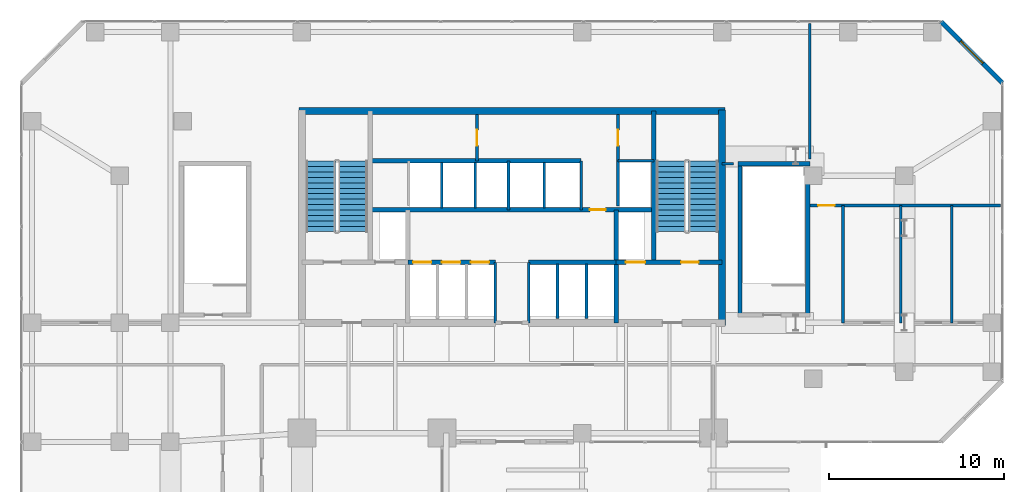
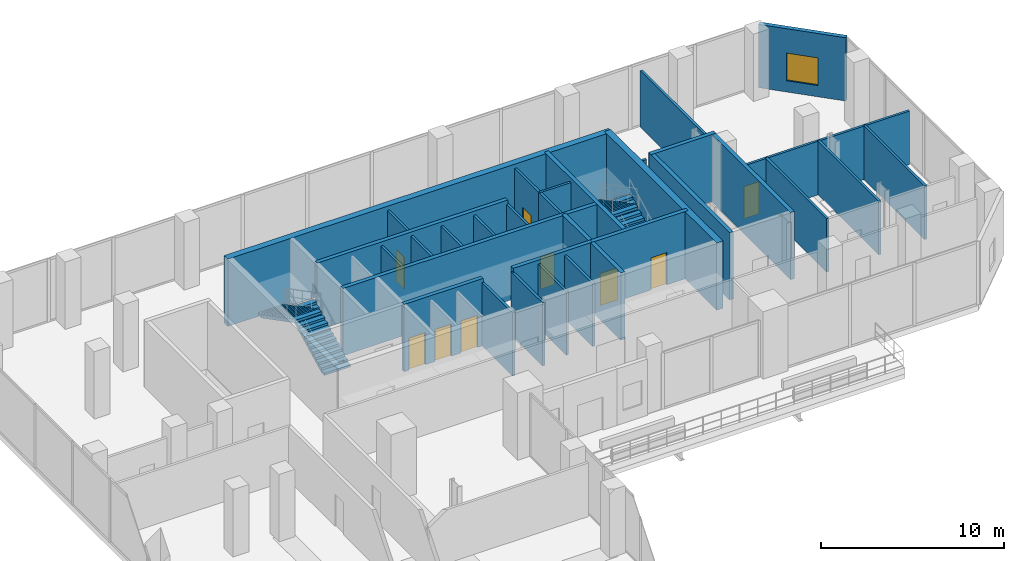
# One storey, part 23 of 24: 32 walls, 9 doors, 4 stair flights, 1 window, 10 openings, 2 elements without a shape of their own.
"""IFC4 building model written with IfcOpenShell, lengths in metres."""

from ifc_helpers import new_model, si_unit, direction, frame, frame_2d, origin, place, context, subcontext, project, spatial, polyline, rectangle, outline, extrude, material, layer, layer_set, type_object, element, fill, aggregate, save


model = new_model("IFC4")

# Units and contexts
model_context = context("Model", 3, precision=1e-05, world=origin(), true_north=direction((0.0, 1.0)))
body_context = subcontext(model_context, "Body", "Model", "MODEL_VIEW")
ifc_project = project(units=[si_unit("LENGTHUNIT", "METRE"), si_unit("AREAUNIT", "SQUARE_METRE"), si_unit("VOLUMEUNIT", "CUBIC_METRE"), si_unit("PLANEANGLEUNIT", "RADIAN"), si_unit("MASSUNIT", "GRAM", prefix="KILO")], contexts=[model_context])

# Site, building, storey
site_placement = place(None, origin())
site = spatial("IfcSite", under=ifc_project, at=site_placement, CompositionType="ELEMENT")
building_placement = place(site_placement, origin())
building = spatial("IfcBuilding", under=site, at=building_placement, Name="Catumbela Crestline Tower", CompositionType="ELEMENT")
storey_placement = place(building_placement, frame((0.0, 0.0, 21.3)))
storey = spatial("IfcBuildingStorey", under=building, at=storey_placement, Name="L04", CompositionType="ELEMENT", Elevation=21.3)

# Walls
ifc_material_1 = material(Name="Concrete C50/60", Category="concrete")
ifc_layer_1 = layer(ifc_material_1, 0.25, Name="Concrete C50/60")
ifc_layer_set_1 = layer_set([ifc_layer_1], Name="Concrete C50/60")
wall_type_1 = type_object("IfcWallType", Name="CW-250D", PredefinedType="SHEAR", material=ifc_layer_set_1)
wall_1_placement = place(storey_placement, frame((36.1, 34.25, 0.0), z_axis=(0.0, 0.0, 1.0), x_axis=(0.0, 1.0, 0.0)))
element("IfcWall", 1, at=wall_1_placement, inside=storey, type_object=wall_type_1, Name="L04 Structural Core Shear Wall EWEB", PredefinedType="SHEAR", context=body_context, shape_type="SweptSolid", body=[
    extrude(rectangle(XDim=8.65, YDim=0.25, at=frame_2d((4.325, 0.0))), origin(), (0.0, 0.0, 1.0), 4.5),
])
wall_2_placement = place(storey_placement, frame((33.95, 30.8, 0.0), z_axis=(0.0, 0.0, 1.0), x_axis=(0.0, 1.0, 0.0)))
element("IfcWall", 2, at=wall_2_placement, inside=storey, type_object=wall_type_1, Name="L04 Structural Core Shear Wall FFE", PredefinedType="SHEAR", context=body_context, shape_type="SweptSolid", body=[
    extrude(rectangle(XDim=6.45, YDim=0.25, at=frame_2d((3.225, 0.0))), origin(), (0.0, 0.0, 1.0), 4.5),
])

# Wall, openings, doors
wall_3_placement = place(storey_placement, frame((33.95, 34.25, 0.0), z_axis=(0.0, 0.0, 1.0), x_axis=(1.0, 0.0, 0.0)))
wall_3 = element("IfcWall", 3, at=wall_3_placement, inside=storey, type_object=wall_type_1, Name="L04 Structural Core Shear Wall ST2S", PredefinedType="SHEAR", context=body_context, shape_type="SweptSolid", body=[
    extrude(rectangle(XDim=6.05, YDim=0.25, at=frame_2d((3.025, 0.0))), origin(), (0.0, 0.0, 1.0), 4.5),
])
opening_1_placement = place(wall_3_placement, frame((3.7, 0.0, 0.0)))
opening_1 = element("IfcOpeningElement", 4, at=opening_1_placement, cuts=wall_3, Name="Opening DF9-100", PredefinedType="OPENING", context=body_context, shape_type="SweptSolid", body=[
    extrude(rectangle(XDim=1.0, YDim=2.15, at=frame_2d((0.5, 1.075))), frame((0.0, 0.135, 0.0), z_axis=(0.0, -1.0, 0.0), x_axis=(1.0, 0.0, 0.0)), (0.0, 0.0, 1.0), 0.27),
])
opening_2_placement = place(wall_3_placement, frame((0.55, 0.0, 0.0)))
opening_2 = element("IfcOpeningElement", 5, at=opening_2_placement, cuts=wall_3, Name="Opening LD-110", PredefinedType="OPENING", context=body_context, shape_type="SweptSolid", body=[
    extrude(rectangle(XDim=1.1, YDim=2.15, at=frame_2d((0.55, 1.075))), frame((0.0, 0.135, 0.0), z_axis=(0.0, -1.0, 0.0), x_axis=(1.0, 0.0, 0.0)), (0.0, 0.0, 1.0), 0.27),
])
ifc_material_2 = material(Name="Stainless steel EN 1.4401", Category="steel")
door_type_1 = type_object("IfcDoorType", Name="DF9-100", OperationType="NOTDEFINED", PredefinedType="DOOR", material=ifc_material_2)
door_1_placement = place(opening_1_placement, origin())
door_1 = element("IfcDoor", 6, at=door_1_placement, inside=storey, type_object=door_type_1, Name="L04 Interior Door DR-L04-ST02", OperationType="SINGLE_SWING_RIGHT", OverallHeight=2.15, OverallWidth=1.0, PredefinedType="DOOR", context=body_context, shape_type="SweptSolid", body=[
    extrude(rectangle(XDim=1.0, YDim=2.15, at=frame_2d((0.5, 1.075))), frame((0.0, 0.025, 0.0), z_axis=(0.0, -1.0, 0.0), x_axis=(1.0, 0.0, 0.0)), (0.0, 0.0, 1.0), 0.05),
])
fill(opening_1, door_1)
door_type_2 = type_object("IfcDoorType", Name="LD-110", OperationType="NOTDEFINED", PredefinedType="DOOR", material=ifc_material_2)
door_2_placement = place(opening_2_placement, origin())
door_2 = element("IfcDoor", 7, at=door_2_placement, inside=storey, type_object=door_type_2, Name="L04 Lift Landing Sliding Door FL-02", OperationType="DOUBLE_DOOR_SLIDING", OverallHeight=2.15, OverallWidth=1.1, PredefinedType="DOOR", context=body_context, shape_type="SweptSolid", body=[
    extrude(rectangle(XDim=1.1, YDim=2.15, at=frame_2d((0.55, 1.075))), frame((0.0, 0.025, 0.0), z_axis=(0.0, -1.0, 0.0), x_axis=(1.0, 0.0, 0.0)), (0.0, 0.0, 1.0), 0.05),
])
fill(opening_2, door_2)

wall_4_placement = place(storey_placement, frame((22.05, 34.25, 0.0), z_axis=(0.0, 0.0, 1.0), x_axis=(1.0, 0.0, 0.0)))
wall_4 = element("IfcWall", 8, at=wall_4_placement, inside=storey, type_object=wall_type_1, Name="L04 Structural Core Shear Wall LIFTS-W", PredefinedType="SHEAR", context=body_context, shape_type="SweptSolid", body=[
    extrude(rectangle(XDim=5.0, YDim=0.25, at=frame_2d((2.5, 0.0))), origin(), (0.0, 0.0, 1.0), 4.5),
])
opening_3_placement = place(wall_4_placement, frame((0.3, 0.0, 0.0)))
opening_3 = element("IfcOpeningElement", 9, at=opening_3_placement, cuts=wall_4, Name="Opening LD-105", PredefinedType="OPENING", context=body_context, shape_type="SweptSolid", body=[
    extrude(rectangle(XDim=1.05, YDim=2.15, at=frame_2d((0.525, 1.075))), frame((0.0, 0.135, 0.0), z_axis=(0.0, -1.0, 0.0), x_axis=(1.0, 0.0, 0.0)), (0.0, 0.0, 1.0), 0.27),
])
opening_4_placement = place(wall_4_placement, frame((1.95, 0.0, 0.0)))
opening_4 = element("IfcOpeningElement", 10, at=opening_4_placement, cuts=wall_4, Name="Opening LD-105", PredefinedType="OPENING", context=body_context, shape_type="SweptSolid", body=[
    extrude(rectangle(XDim=1.05, YDim=2.15, at=frame_2d((0.525, 1.075))), frame((0.0, 0.135, 0.0), z_axis=(0.0, -1.0, 0.0), x_axis=(1.0, 0.0, 0.0)), (0.0, 0.0, 1.0), 0.27),
])
opening_5_placement = place(wall_4_placement, frame((3.6, 0.0, 0.0)))
opening_5 = element("IfcOpeningElement", 11, at=opening_5_placement, cuts=wall_4, Name="Opening LD-105", PredefinedType="OPENING", context=body_context, shape_type="SweptSolid", body=[
    extrude(rectangle(XDim=1.05, YDim=2.15, at=frame_2d((0.525, 1.075))), frame((0.0, 0.135, 0.0), z_axis=(0.0, -1.0, 0.0), x_axis=(1.0, 0.0, 0.0)), (0.0, 0.0, 1.0), 0.27),
])
door_type_3 = type_object("IfcDoorType", Name="LD-105", OperationType="NOTDEFINED", PredefinedType="DOOR", material=ifc_material_2)
door_3_placement = place(opening_3_placement, origin())
door_3 = element("IfcDoor", 12, at=door_3_placement, inside=storey, type_object=door_type_3, Name="L04 Lift Landing Sliding Door PL-L1", OperationType="DOUBLE_DOOR_SLIDING", OverallHeight=2.15, OverallWidth=1.05, PredefinedType="DOOR", context=body_context, shape_type="SweptSolid", body=[
    extrude(rectangle(XDim=1.05, YDim=2.15, at=frame_2d((0.525, 1.075))), frame((0.0, 0.025, 0.0), z_axis=(0.0, -1.0, 0.0), x_axis=(1.0, 0.0, 0.0)), (0.0, 0.0, 1.0), 0.05),
])
fill(opening_3, door_3)
door_4_placement = place(opening_4_placement, origin())
door_4 = element("IfcDoor", 13, at=door_4_placement, inside=storey, type_object=door_type_3, Name="L04 Lift Landing Sliding Door PL-L2", OperationType="DOUBLE_DOOR_SLIDING", OverallHeight=2.15, OverallWidth=1.05, PredefinedType="DOOR", context=body_context, shape_type="SweptSolid", body=[
    extrude(rectangle(XDim=1.05, YDim=2.15, at=frame_2d((0.525, 1.075))), frame((0.0, 0.025, 0.0), z_axis=(0.0, -1.0, 0.0), x_axis=(1.0, 0.0, 0.0)), (0.0, 0.0, 1.0), 0.05),
])
fill(opening_4, door_4)
door_5_placement = place(opening_5_placement, origin())
door_5 = element("IfcDoor", 14, at=door_5_placement, inside=storey, type_object=door_type_3, Name="L04 Lift Landing Sliding Door PL-L3", OperationType="DOUBLE_DOOR_SLIDING", OverallHeight=2.15, OverallWidth=1.05, PredefinedType="DOOR", context=body_context, shape_type="SweptSolid", body=[
    extrude(rectangle(XDim=1.05, YDim=2.15, at=frame_2d((0.525, 1.075))), frame((0.0, 0.025, 0.0), z_axis=(0.0, -1.0, 0.0), x_axis=(1.0, 0.0, 0.0)), (0.0, 0.0, 1.0), 0.05),
])
fill(opening_5, door_5)

# Wall
wall_5_placement = place(storey_placement, frame((28.95, 34.25, 0.0), z_axis=(0.0, 0.0, 1.0), x_axis=(1.0, 0.0, 0.0)))
element("IfcWall", 15, at=wall_5_placement, inside=storey, type_object=wall_type_1, Name="L04 Structural Core Shear Wall LIFTS-E", PredefinedType="SHEAR", context=body_context, shape_type="SweptSolid", body=[
    extrude(rectangle(XDim=5.0, YDim=0.25, at=frame_2d((2.5, 0.0))), origin(), (0.0, 0.0, 1.0), 4.5),
])

# Wall, opening, door
wall_6_placement = place(storey_placement, frame((19.9, 37.25, 0.0), z_axis=(0.0, 0.0, 1.0), x_axis=(1.0, 0.0, 0.0)))
wall_6 = element("IfcWall", 16, at=wall_6_placement, inside=storey, type_object=wall_type_1, Name="L04 Structural Core Shear Wall LIFTN", PredefinedType="SHEAR", context=body_context, shape_type="SweptSolid", body=[
    extrude(rectangle(XDim=16.2, YDim=0.25, at=frame_2d((8.1, 0.0))), origin(), (0.0, 0.0, 1.0), 4.5),
])
opening_6_placement = place(wall_6_placement, frame((12.55, 0.0, 0.0)))
opening_6 = element("IfcOpeningElement", 17, at=opening_6_placement, cuts=wall_6, Name="Opening DF9-090", PredefinedType="OPENING", context=body_context, shape_type="SweptSolid", body=[
    extrude(rectangle(XDim=0.9, YDim=2.15, at=frame_2d((0.45, 1.075))), frame((0.0, 0.135, 0.0), z_axis=(0.0, -1.0, 0.0), x_axis=(1.0, 0.0, 0.0)), (0.0, 0.0, 1.0), 0.27),
])
door_type_4 = type_object("IfcDoorType", Name="DF9-090", OperationType="NOTDEFINED", PredefinedType="DOOR", material=ifc_material_2)
door_6_placement = place(opening_6_placement, origin())
door_6 = element("IfcDoor", 18, at=door_6_placement, inside=storey, type_object=door_type_4, Name="L04 Interior Door DR-L04-CPAS1", OperationType="SINGLE_SWING_LEFT", OverallHeight=2.15, OverallWidth=0.9, PredefinedType="DOOR", context=body_context, shape_type="SweptSolid", body=[
    extrude(rectangle(XDim=0.9, YDim=2.15, at=frame_2d((0.45, 1.075))), frame((0.0, 0.025, 0.0), z_axis=(0.0, -1.0, 0.0), x_axis=(1.0, 0.0, 0.0)), (0.0, 0.0, 1.0), 0.05),
])
fill(opening_6, door_6)

# Walls
wall_7_placement = place(storey_placement, frame((19.9, 40.05, 0.0), z_axis=(0.0, 0.0, 1.0), x_axis=(1.0, 0.0, 0.0)))
element("IfcWall", 19, at=wall_7_placement, inside=storey, type_object=wall_type_1, Name="L04 Structural Core Shear Wall COREN", PredefinedType="SHEAR", context=body_context, shape_type="SweptSolid", body=[
    extrude(rectangle(XDim=12.05, YDim=0.25, at=frame_2d((6.025, 0.0))), origin(), (0.0, 0.0, 1.0), 4.5),
])
for number, where, z_axis, x_axis, name in (
    (20, (41.02, 31.15, 0.0), (0.0, 0.0, 1.0), (0.0, 1.0, 0.0), "L04 Structural Core Shear Wall ST4W"),
    (21, (44.88, 31.15, 0.0), (0.0, 0.0, 1.0), (0.0, 1.0, 0.0), "L04 Structural Core Shear Wall ST4E"),
):
    element("IfcWall", number, at=place(storey_placement, frame(where, z_axis=z_axis, x_axis=x_axis)), inside=storey, type_object=wall_type_1, Name=name, PredefinedType="SHEAR", context=body_context, shape_type="SweptSolid", body=[
        extrude(rectangle(XDim=8.8, YDim=0.25, at=frame_2d((4.4, 0.0))), origin(), (0.0, 0.0, 1.0), 4.5),
    ])
wall_8_placement = place(storey_placement, frame((40.9, 39.88, 0.0), z_axis=(0.0, 0.0, 1.0), x_axis=(1.0, 0.0, 0.0)))
element("IfcWall", 22, at=wall_8_placement, inside=storey, type_object=wall_type_1, Name="L04 Structural Core Shear Wall ST4N", PredefinedType="SHEAR", context=body_context, shape_type="SweptSolid", body=[
    extrude(rectangle(XDim=4.1, YDim=0.25, at=frame_2d((2.05, 0.0))), origin(), (0.0, 0.0, 1.0), 4.5),
])
ifc_material_3 = material(Name="Concrete C60/75", Category="concrete")
ifc_layer_2 = layer(ifc_material_3, 0.4, Name="Concrete C60/75")
ifc_layer_set_2 = layer_set([ifc_layer_2], Name="Concrete C60/75")
wall_type_2 = type_object("IfcWallType", Name="CW-400A", PredefinedType="SHEAR", material=ifc_layer_set_2)
wall_9_placement = place(storey_placement, frame((40.0, 30.65, 0.0), z_axis=(0.0, 0.0, 1.0), x_axis=(0.0, 1.0, 0.0)))
element("IfcWall", 23, at=wall_9_placement, inside=storey, type_object=wall_type_2, Name="L04 Structural Core Shear Wall E", PredefinedType="SHEAR", context=body_context, shape_type="SweptSolid", body=[
    extrude(rectangle(XDim=12.3, YDim=0.4, at=frame_2d((6.15, 0.0))), origin(), (0.0, 0.0, 1.0), 4.5),
])
wall_10_placement = place(storey_placement, frame((15.85, 42.9, 0.0), z_axis=(0.0, 0.0, 1.0), x_axis=(1.0, 0.0, 0.0)))
element("IfcWall", 24, at=wall_10_placement, inside=storey, type_object=wall_type_2, Name="L04 Structural Core Shear Wall N", PredefinedType="SHEAR", context=body_context, shape_type="SweptSolid", body=[
    extrude(rectangle(XDim=24.3, YDim=0.4, at=frame_2d((12.15, 0.0))), origin(), (0.0, 0.0, 1.0), 4.5),
])

# Wall, opening, window
ifc_material_4 = material(Name="Angolan grey-ochre granite", Category="masonry")
ifc_layer_3 = layer(ifc_material_4, 0.25, Name="Angolan grey-ochre granite")
ifc_layer_set_3 = layer_set([ifc_layer_3], Name="Angolan grey-ochre granite")
wall_type_3 = type_object("IfcWallType", Name="WE-250", PredefinedType="STANDARD", material=ifc_layer_set_3)
wall_11_placement = place(storey_placement, frame((56.0, 44.5, 0.0), z_axis=(0.0, 0.0, 1.0), x_axis=(-0.707106781187, 0.707106781187, 0.0)))
wall_11 = element("IfcWall", 25, at=wall_11_placement, inside=storey, type_object=wall_type_3, Name="L04 Granite Punched Window Wall 6-1", PredefinedType="STANDARD", context=body_context, shape_type="SweptSolid", body=[
    extrude(rectangle(XDim=4.9497, YDim=0.25, at=frame_2d((2.4748, 0.0))), origin(), (0.0, 0.0, 1.0), 4.23),
])
opening_7_placement = place(wall_11_placement, frame((1.5749, 0.0, 0.75)))
opening_7 = element("IfcOpeningElement", 26, at=opening_7_placement, cuts=wall_11, Name="Opening WN-01", PredefinedType="OPENING", context=body_context, shape_type="SweptSolid", body=[
    extrude(rectangle(XDim=1.8, YDim=1.85, at=frame_2d((0.9, 0.925))), frame((0.0, 0.135, 0.0), z_axis=(0.0, -1.0, 0.0), x_axis=(1.0, 0.0, 0.0)), (0.0, 0.0, 1.0), 0.27),
])
ifc_material_5 = material(Name="Low-E laminated solar-control double glazing", Category="glass")
window_type = type_object("IfcWindowType", Name="WF-1800", PartitioningType="SINGLE_PANEL", PredefinedType="WINDOW", material=ifc_material_5)
window_placement = place(opening_7_placement, origin())
window = element("IfcWindow", 27, at=window_placement, inside=storey, type_object=window_type, Name="L04 Facade Vision Window 45", OverallHeight=1.85, OverallWidth=1.8, PartitioningType="SINGLE_PANEL", PredefinedType="WINDOW", context=body_context, shape_type="SweptSolid", body=[
    extrude(rectangle(XDim=1.8, YDim=1.85, at=frame_2d((0.9, 0.925))), frame((0.0, 0.03, 0.0), z_axis=(0.0, -1.0, 0.0), x_axis=(1.0, 0.0, 0.0)), (0.0, 0.0, 1.0), 0.06),
])
fill(opening_7, window)

# Wall
ifc_material_6 = material(Name="Acoustic gypsum and mineral-wool partition")
ifc_layer_4 = layer(ifc_material_6, 0.15, Name="Acoustic gypsum and mineral-wool partition")
ifc_layer_set_4 = layer_set([ifc_layer_4], Name="Acoustic gypsum and mineral-wool partition")
wall_type_4 = type_object("IfcWallType", Name="WP-150", PredefinedType="PARTITIONING", material=ifc_layer_set_4)
wall_12_placement = place(storey_placement, frame((34.05, 40.05, 0.0), z_axis=(0.0, 0.0, 1.0), x_axis=(1.0, 0.0, 0.0)))
element("IfcWall", 28, at=wall_12_placement, inside=storey, type_object=wall_type_4, Name="L04 Interior Partition PW-L04-CR-ES", PredefinedType="PARTITIONING", context=body_context, shape_type="SweptSolid", body=[
    extrude(rectangle(XDim=2.05, YDim=0.15, at=frame_2d((1.025, 0.0))), origin(), (0.0, 0.0, 1.0), 4.23),
])

# Wall, opening, door
wall_13_placement = place(storey_placement, frame((34.05, 40.05, 0.0), z_axis=(0.0, 0.0, 1.0), x_axis=(0.0, 1.0, 0.0)))
wall_13 = element("IfcWall", 29, at=wall_13_placement, inside=storey, type_object=wall_type_4, Name="L04 Interior Partition PW-L04-CR-EW", PredefinedType="PARTITIONING", context=body_context, shape_type="SweptSolid", body=[
    extrude(rectangle(XDim=2.63, YDim=0.15, at=frame_2d((1.315, 0.0))), origin(), (0.0, 0.0, 1.0), 4.23),
])
opening_8_placement = place(wall_13_placement, frame((0.865, 0.0, 0.0)))
opening_8 = element("IfcOpeningElement", 30, at=opening_8_placement, cuts=wall_13, Name="Opening DF9-090", PredefinedType="OPENING", context=body_context, shape_type="SweptSolid", body=[
    extrude(rectangle(XDim=0.9, YDim=2.15, at=frame_2d((0.45, 1.075))), frame((0.0, 0.085, 0.0), z_axis=(0.0, -1.0, 0.0), x_axis=(1.0, 0.0, 0.0)), (0.0, 0.0, 1.0), 0.17),
])
door_7_placement = place(opening_8_placement, origin())
door_7 = element("IfcDoor", 31, at=door_7_placement, inside=storey, type_object=door_type_4, Name="L04 Interior Door DR-L04-CREAST", OperationType="SINGLE_SWING_RIGHT", OverallHeight=2.15, OverallWidth=0.9, PredefinedType="DOOR", context=body_context, shape_type="SweptSolid", body=[
    extrude(rectangle(XDim=0.9, YDim=2.15, at=frame_2d((0.45, 1.075))), frame((0.0, 0.025, 0.0), z_axis=(0.0, -1.0, 0.0), x_axis=(1.0, 0.0, 0.0)), (0.0, 0.0, 1.0), 0.05),
])
fill(opening_8, door_7)

wall_14_placement = place(storey_placement, frame((26.0, 40.05, 0.0), z_axis=(0.0, 0.0, 1.0), x_axis=(0.0, 1.0, 0.0)))
wall_14 = element("IfcWall", 32, at=wall_14_placement, inside=storey, type_object=wall_type_4, Name="L04 Interior Partition PW-L04-CR-WW", PredefinedType="PARTITIONING", context=body_context, shape_type="SweptSolid", body=[
    extrude(rectangle(XDim=2.63, YDim=0.15, at=frame_2d((1.315, 0.0))), origin(), (0.0, 0.0, 1.0), 4.23),
])
opening_9_placement = place(wall_14_placement, frame((0.865, 0.0, 0.0)))
opening_9 = element("IfcOpeningElement", 33, at=opening_9_placement, cuts=wall_14, Name="Opening DF9-090", PredefinedType="OPENING", context=body_context, shape_type="SweptSolid", body=[
    extrude(rectangle(XDim=0.9, YDim=2.15, at=frame_2d((0.45, 1.075))), frame((0.0, 0.085, 0.0), z_axis=(0.0, -1.0, 0.0), x_axis=(1.0, 0.0, 0.0)), (0.0, 0.0, 1.0), 0.17),
])
door_8_placement = place(opening_9_placement, origin())
door_8 = element("IfcDoor", 34, at=door_8_placement, inside=storey, type_object=door_type_4, Name="L04 Interior Door DR-L04-CRWEST", OperationType="SINGLE_SWING_LEFT", OverallHeight=2.15, OverallWidth=0.9, PredefinedType="DOOR", context=body_context, shape_type="SweptSolid", body=[
    extrude(rectangle(XDim=0.9, YDim=2.15, at=frame_2d((0.45, 1.075))), frame((0.0, 0.025, 0.0), z_axis=(0.0, -1.0, 0.0), x_axis=(1.0, 0.0, 0.0)), (0.0, 0.0, 1.0), 0.05),
])
fill(opening_9, door_8)

# Walls
for number, where, z_axis, x_axis, name in (
    (35, (46.9, 30.8, 0.0), (0.0, 0.0, 1.0), (0.0, 1.0, 0.0), "L04 Interior Partition PW-L04-PSGE"),
    (36, (50.2, 30.8, 0.0), (0.0, 0.0, 1.0), (0.0, 1.0, 0.0), "L04 Interior Partition PW-L04-WCM1"),
    (37, (53.1, 30.8, 0.0), (0.0, 0.0, 1.0), (0.0, 1.0, 0.0), "L04 Interior Partition PW-L04-WCM2"),
):
    element("IfcWall", number, at=place(storey_placement, frame(where, z_axis=z_axis, x_axis=x_axis)), inside=storey, type_object=wall_type_4, Name=name, PredefinedType="PARTITIONING", context=body_context, shape_type="SweptSolid", body=[
        extrude(rectangle(XDim=6.7, YDim=0.15, at=frame_2d((3.35, 0.0))), origin(), (0.0, 0.0, 1.0), 3.58),
    ])

# Wall, opening, door
wall_15_placement = place(storey_placement, frame((45.0, 37.5, 0.0), z_axis=(0.0, 0.0, 1.0), x_axis=(1.0, 0.0, 0.0)))
wall_15 = element("IfcWall", 38, at=wall_15_placement, inside=storey, type_object=wall_type_4, Name="L04 Interior Partition PW-L04-WCN", PredefinedType="PARTITIONING", context=body_context, shape_type="SweptSolid", body=[
    extrude(rectangle(XDim=10.9, YDim=0.15, at=frame_2d((5.45, 0.0))), origin(), (0.0, 0.0, 1.0), 3.58),
])
opening_10_placement = place(wall_15_placement, frame((0.475, 0.0, 0.0)))
opening_10 = element("IfcOpeningElement", 39, at=opening_10_placement, cuts=wall_15, Name="Opening DF6-095", PredefinedType="OPENING", context=body_context, shape_type="SweptSolid", body=[
    extrude(rectangle(XDim=0.95, YDim=2.15, at=frame_2d((0.475, 1.075))), frame((0.0, 0.085, 0.0), z_axis=(0.0, -1.0, 0.0), x_axis=(1.0, 0.0, 0.0)), (0.0, 0.0, 1.0), 0.17),
])
ifc_material_7 = material(Name="Aluminium alloy AW-6060-T66", Category="aluminium")
door_type_5 = type_object("IfcDoorType", Name="DF6-095", OperationType="NOTDEFINED", PredefinedType="DOOR", material=ifc_material_7)
door_9_placement = place(opening_10_placement, origin())
door_9 = element("IfcDoor", 40, at=door_9_placement, inside=storey, type_object=door_type_5, Name="L04 Interior Door DR-L04-NEE", OperationType="SINGLE_SWING_RIGHT", OverallHeight=2.15, OverallWidth=0.95, PredefinedType="DOOR", context=body_context, shape_type="SweptSolid", body=[
    extrude(rectangle(XDim=0.95, YDim=2.15, at=frame_2d((0.475, 1.075))), frame((0.0, 0.025, 0.0), z_axis=(0.0, -1.0, 0.0), x_axis=(1.0, 0.0, 0.0)), (0.0, 0.0, 1.0), 0.05),
])
fill(opening_10, door_9)

# Walls
wall_16_placement = place(storey_placement, frame((45.0, 40.1634, 0.0), z_axis=(0.0, 0.0, 1.0), x_axis=(0.0, 1.0, 0.0)))
element("IfcWall", 41, at=wall_16_placement, inside=storey, type_object=wall_type_4, Name="L04 Interior Partition PW-L04-NESVW", PredefinedType="PARTITIONING", context=body_context, shape_type="SweptSolid", body=[
    extrude(rectangle(XDim=7.7366, YDim=0.15, at=frame_2d((3.8683, 0.0))), origin(), (0.0, 0.0, 1.0), 3.77),
])
wall_17_placement = place(storey_placement, frame((40.0, 39.88, 0.0), z_axis=(0.0, 0.0, 1.0), x_axis=(1.0, 0.0, 0.0)))
element("IfcWall", 42, at=wall_17_placement, inside=storey, type_object=wall_type_4, Name="L04 Interior Partition PW-L04-NECR", PredefinedType="PARTITIONING", context=body_context, shape_type="SweptSolid", body=[
    extrude(rectangle(XDim=0.655, YDim=0.15, at=frame_2d((0.3275, 0.0))), origin(), (0.0, 0.0, 1.0), 4.23),
])
ifc_layer_5 = layer(ifc_material_6, 0.15, Name="Acoustic gypsum and mineral-wool partition")
ifc_layer_set_5 = layer_set([ifc_layer_5], Name="Acoustic gypsum and mineral-wool partition")
wall_type_5 = type_object("IfcWallType", Name="WS-150", PredefinedType="PLUMBINGWALL", material=ifc_layer_set_5)
for number, where, z_axis, x_axis, name in (
    (43, (27.05, 30.8, 0.0), (0.0, 0.0, 1.0), (0.0, 1.0, 0.0), "L04 Interior Partition PW-L04-THRW"),
    (44, (28.95, 30.8, 0.0), (0.0, 0.0, 1.0), (0.0, 1.0, 0.0), "L04 Interior Partition PW-L04-THRE"),
):
    element("IfcWall", number, at=place(storey_placement, frame(where, z_axis=z_axis, x_axis=x_axis)), inside=storey, type_object=wall_type_5, Name=name, PredefinedType="PLUMBINGWALL", context=body_context, shape_type="SweptSolid", body=[
        extrude(rectangle(XDim=3.45, YDim=0.15, at=frame_2d((1.725, 0.0))), origin(), (0.0, 0.0, 1.0), 4.23),
    ])
for number, where, z_axis, x_axis, name in (
    (45, (30.6, 31.05, 0.0), (0.0, 0.0, 1.0), (0.0, 1.0, 0.0), "L04 Interior Partition PW-L04-SHM1"),
    (46, (32.25, 31.05, 0.0), (0.0, 0.0, 1.0), (0.0, 1.0, 0.0), "L04 Interior Partition PW-L04-SHM2"),
):
    element("IfcWall", number, at=place(storey_placement, frame(where, z_axis=z_axis, x_axis=x_axis)), inside=storey, type_object=wall_type_5, Name=name, PredefinedType="PLUMBINGWALL", context=body_context, shape_type="SweptSolid", body=[
        extrude(rectangle(XDim=3.1, YDim=0.15, at=frame_2d((1.55, 0.0))), origin(), (0.0, 0.0, 1.0), 4.23),
    ])
wall_18_placement = place(storey_placement, frame((27.8, 37.25, 0.0), z_axis=(0.0, 0.0, 1.0), x_axis=(0.0, 1.0, 0.0)))
element("IfcWall", 47, at=wall_18_placement, inside=storey, type_object=wall_type_5, Name="L04 Interior Partition PW-L04-SHH3", PredefinedType="PLUMBINGWALL", context=body_context, shape_type="SweptSolid", body=[
    extrude(rectangle(XDim=2.8, YDim=0.15, at=frame_2d((1.4, 0.0))), origin(), (0.0, 0.0, 1.0), 4.23),
])
for number, where, z_axis, x_axis, name in (
    (48, (24.0, 37.35, 0.0), (0.0, 0.0, 1.0), (0.0, 1.0, 0.0), "L04 Interior Partition PW-L04-SHH1"),
    (49, (25.9, 37.35, 0.0), (0.0, 0.0, 1.0), (0.0, 1.0, 0.0), "L04 Interior Partition PW-L04-SHH2"),
):
    element("IfcWall", number, at=place(storey_placement, frame(where, z_axis=z_axis, x_axis=x_axis)), inside=storey, type_object=wall_type_5, Name=name, PredefinedType="PLUMBINGWALL", context=body_context, shape_type="SweptSolid", body=[
        extrude(rectangle(XDim=2.6, YDim=0.15, at=frame_2d((1.3, 0.0))), origin(), (0.0, 0.0, 1.0), 4.23),
    ])
wall_19_placement = place(storey_placement, frame((31.95, 37.25, 0.0), z_axis=(0.0, 0.0, 1.0), x_axis=(0.0, 1.0, 0.0)))
element("IfcWall", 50, at=wall_19_placement, inside=storey, type_object=wall_type_5, Name="L04 Interior Partition PW-L04-SHEX2E", PredefinedType="PLUMBINGWALL", context=body_context, shape_type="SweptSolid", body=[
    extrude(rectangle(XDim=2.8, YDim=0.15, at=frame_2d((1.4, 0.0))), origin(), (0.0, 0.0, 1.0), 4.23),
])
wall_20_placement = place(storey_placement, frame((29.85, 37.35, 0.0), z_axis=(0.0, 0.0, 1.0), x_axis=(0.0, 1.0, 0.0)))
element("IfcWall", 51, at=wall_20_placement, inside=storey, type_object=wall_type_5, Name="L04 Interior Partition PW-L04-SHEX1", PredefinedType="PLUMBINGWALL", context=body_context, shape_type="SweptSolid", body=[
    extrude(rectangle(XDim=2.6, YDim=0.15, at=frame_2d((1.3, 0.0))), origin(), (0.0, 0.0, 1.0), 4.23),
])
wall_21_placement = place(storey_placement, frame((34.05, 37.4734, 0.0), z_axis=(0.0, 0.0, 1.0), x_axis=(0.0, 1.0, 0.0)))
element("IfcWall", 52, at=wall_21_placement, inside=storey, type_object=wall_type_5, Name="L04 Interior Partition PW-L04-RISW", PredefinedType="PLUMBINGWALL", context=body_context, shape_type="SweptSolid", body=[
    extrude(rectangle(XDim=2.5766, YDim=0.15, at=frame_2d((1.2883, 0.0))), origin(), (0.0, 0.0, 1.0), 4.23),
])

# Stair, stair flights
ifc_material_8 = material(Name="Concrete C45/55", Category="concrete")
stair_type = type_object("IfcStairType", Name="ST-DLG", PredefinedType="HALF_TURN_STAIR", material=ifc_material_8)
stair_1_placement = place(storey_placement, origin())
stair_1 = element("IfcStair", 53, at=stair_1_placement, inside=storey, type_object=stair_type, Name="L04 West Core Pressurised Exit Stair ST-01", PredefinedType="HALF_TURN_STAIR")
stair_flight_type = type_object("IfcStairFlightType", Name="SF-1607", PredefinedType="STRAIGHT", material=ifc_material_8)
stair_flight_1_placement = place(storey_placement, frame((18.92, 36.0, 0.0), z_axis=(0.0, 0.0, 1.0), x_axis=(0.0, 1.0, 0.0)))
stair_flight_1 = element("IfcStairFlight", 54, at=stair_flight_1_placement, type_object=stair_flight_type, Name="ST-01 flight 1", NumberOfRisers=14, NumberOfTreads=13, PredefinedType="STRAIGHT", RiserHeight=0.160714286, TreadLength=0.31, context=body_context, shape_type="SweptSolid", body=[
    extrude(outline(polyline([(0.0, 0.0), (0.0, 0.1607), (0.31, 0.1607), (0.31, 0.3214), (0.62, 0.3214), (0.62, 0.4821), (0.93, 0.4821), (0.93, 0.6429), (1.24, 0.6429), (1.24, 0.8036), (1.55, 0.8036), (1.55, 0.9643), (1.86, 0.9643), (1.86, 1.125), (2.17, 1.125), (2.17, 1.2857), (2.48, 1.2857), (2.48, 1.4464), (2.79, 1.4464), (2.79, 1.6071), (3.1, 1.6071), (3.1, 1.7679), (3.41, 1.7679), (3.41, 1.9286), (3.72, 1.9286), (3.72, 2.0893), (4.03, 2.0893), (4.03, 2.25), (4.03, 1.9091), (0.3476, 0.0), (0.0, 0.0)])), frame((0.0, 0.83, 0.0), z_axis=(0.0, -1.0, 0.0), x_axis=(1.0, 0.0, 0.0)), (0.0, 0.0, 1.0), 1.66),
])
stair_flight_2_placement = place(storey_placement, frame((17.08, 40.03, 2.25), z_axis=(0.0, 0.0, 1.0), x_axis=(0.0, -1.0, 0.0)))
stair_flight_2 = element("IfcStairFlight", 55, at=stair_flight_2_placement, type_object=stair_flight_type, Name="ST-01 flight 2", NumberOfRisers=14, NumberOfTreads=13, PredefinedType="STRAIGHT", RiserHeight=0.160714286, TreadLength=0.31, context=body_context, shape_type="SweptSolid", body=[
    extrude(outline(polyline([(0.0, 0.0), (0.0, 0.1607), (0.31, 0.1607), (0.31, 0.3214), (0.62, 0.3214), (0.62, 0.4821), (0.93, 0.4821), (0.93, 0.6429), (1.24, 0.6429), (1.24, 0.8036), (1.55, 0.8036), (1.55, 0.9643), (1.86, 0.9643), (1.86, 1.125), (2.17, 1.125), (2.17, 1.2857), (2.48, 1.2857), (2.48, 1.4464), (2.79, 1.4464), (2.79, 1.6071), (3.1, 1.6071), (3.1, 1.7679), (3.41, 1.7679), (3.41, 1.9286), (3.72, 1.9286), (3.72, 2.0893), (4.03, 2.0893), (4.03, 2.25), (4.03, 1.9091), (0.3476, 0.0), (0.0, 0.0)])), frame((0.0, 0.83, 0.0), z_axis=(0.0, -1.0, 0.0), x_axis=(1.0, 0.0, 0.0)), (0.0, 0.0, 1.0), 1.66),
])
aggregate(stair_1, [stair_flight_1, stair_flight_2])

stair_2_placement = place(storey_placement, origin())
stair_2 = element("IfcStair", 56, at=stair_2_placement, inside=storey, type_object=stair_type, Name="L04 East Core Pressurised Exit Stair ST-02", PredefinedType="HALF_TURN_STAIR")
stair_flight_3_placement = place(storey_placement, frame((38.92, 36.0, 0.0), z_axis=(0.0, 0.0, 1.0), x_axis=(0.0, 1.0, 0.0)))
stair_flight_3 = element("IfcStairFlight", 57, at=stair_flight_3_placement, type_object=stair_flight_type, Name="ST-02 flight 1", NumberOfRisers=14, NumberOfTreads=13, PredefinedType="STRAIGHT", RiserHeight=0.160714286, TreadLength=0.31, context=body_context, shape_type="SweptSolid", body=[
    extrude(outline(polyline([(0.0, 0.0), (0.0, 0.1607), (0.31, 0.1607), (0.31, 0.3214), (0.62, 0.3214), (0.62, 0.4821), (0.93, 0.4821), (0.93, 0.6429), (1.24, 0.6429), (1.24, 0.8036), (1.55, 0.8036), (1.55, 0.9643), (1.86, 0.9643), (1.86, 1.125), (2.17, 1.125), (2.17, 1.2857), (2.48, 1.2857), (2.48, 1.4464), (2.79, 1.4464), (2.79, 1.6071), (3.1, 1.6071), (3.1, 1.7679), (3.41, 1.7679), (3.41, 1.9286), (3.72, 1.9286), (3.72, 2.0893), (4.03, 2.0893), (4.03, 2.25), (4.03, 1.9091), (0.3476, 0.0), (0.0, 0.0)])), frame((0.0, 0.83, 0.0), z_axis=(0.0, -1.0, 0.0), x_axis=(1.0, 0.0, 0.0)), (0.0, 0.0, 1.0), 1.66),
])
stair_flight_4_placement = place(storey_placement, frame((37.08, 40.03, 2.25), z_axis=(0.0, 0.0, 1.0), x_axis=(0.0, -1.0, 0.0)))
stair_flight_4 = element("IfcStairFlight", 58, at=stair_flight_4_placement, type_object=stair_flight_type, Name="ST-02 flight 2", NumberOfRisers=14, NumberOfTreads=13, PredefinedType="STRAIGHT", RiserHeight=0.160714286, TreadLength=0.31, context=body_context, shape_type="SweptSolid", body=[
    extrude(outline(polyline([(0.0, 0.0), (0.0, 0.1607), (0.31, 0.1607), (0.31, 0.3214), (0.62, 0.3214), (0.62, 0.4821), (0.93, 0.4821), (0.93, 0.6429), (1.24, 0.6429), (1.24, 0.8036), (1.55, 0.8036), (1.55, 0.9643), (1.86, 0.9643), (1.86, 1.125), (2.17, 1.125), (2.17, 1.2857), (2.48, 1.2857), (2.48, 1.4464), (2.79, 1.4464), (2.79, 1.6071), (3.1, 1.6071), (3.1, 1.7679), (3.41, 1.7679), (3.41, 1.9286), (3.72, 1.9286), (3.72, 2.0893), (4.03, 2.0893), (4.03, 2.25), (4.03, 1.9091), (0.3476, 0.0), (0.0, 0.0)])), frame((0.0, 0.83, 0.0), z_axis=(0.0, -1.0, 0.0), x_axis=(1.0, 0.0, 0.0)), (0.0, 0.0, 1.0), 1.66),
])
aggregate(stair_2, [stair_flight_3, stair_flight_4])

save(model, "model.ifc")
